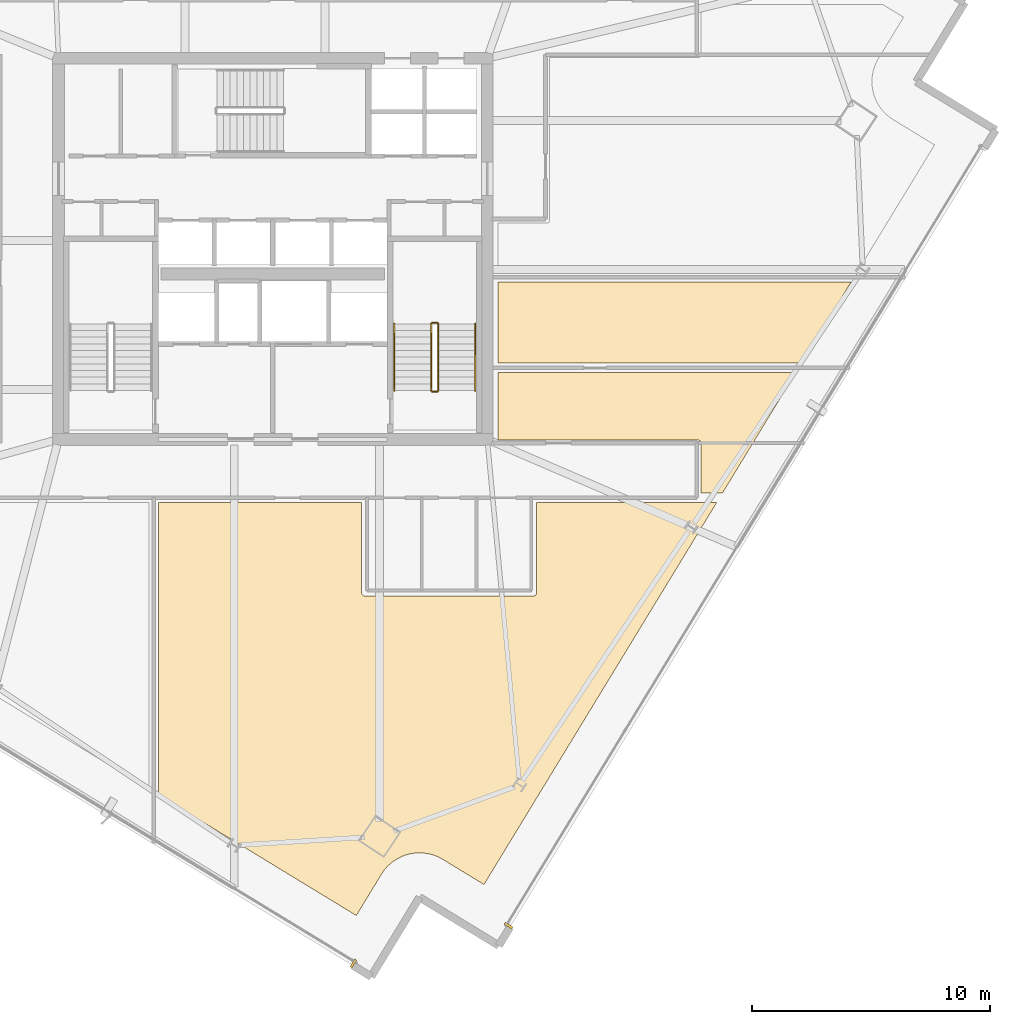
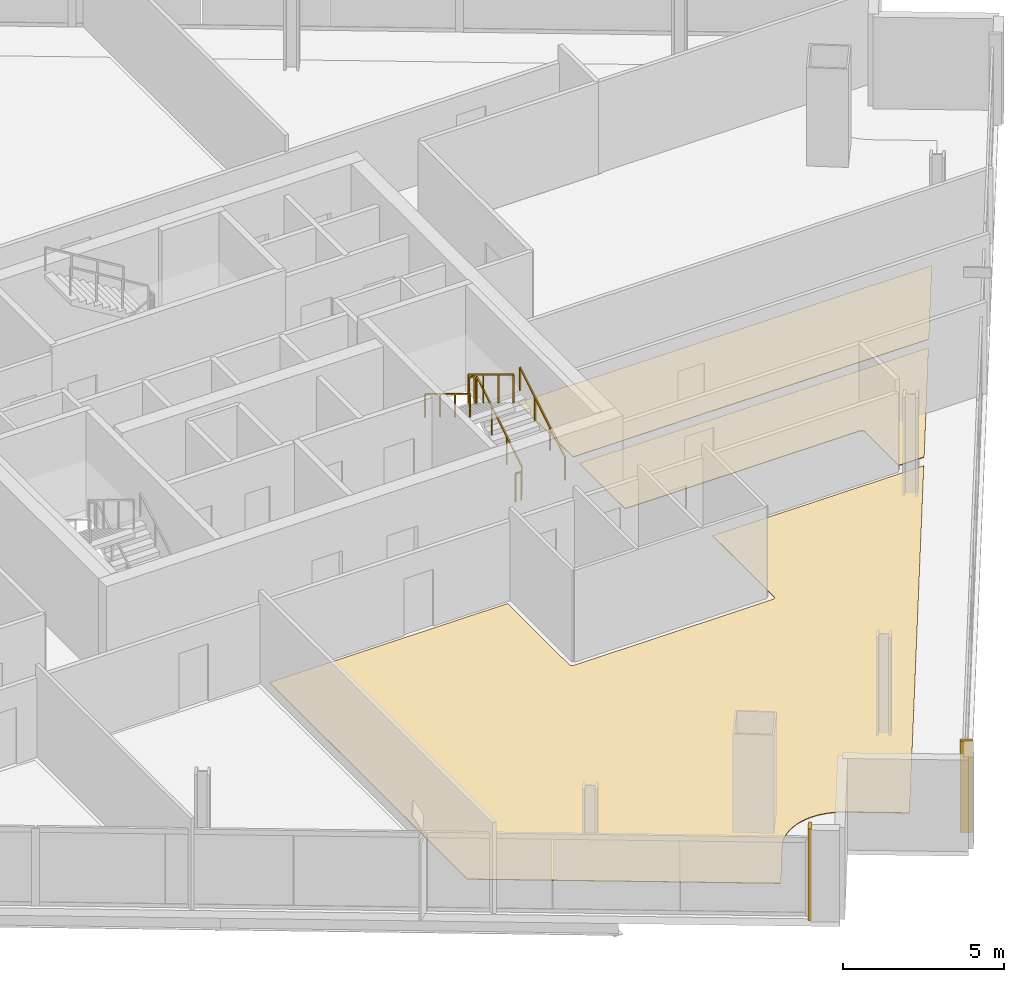
# One storey, part 26 of 28: 6 railings, 5 coverings.
"""IFC4 building model written with IfcOpenShell, lengths in metres."""

from ifc_helpers import new_model, si_unit, direction, frame, origin, origin_2d, place, context, subcontext, project, spatial, polyline, rectangle, outline, extrude, source, transform, mapped, material, layer, layer_set, type_object, element, save


model = new_model("IFC4")

# Units and contexts
model_context = context("Model", 3, precision=1e-05, world=origin(), true_north=direction((0.0, 1.0)))
body_context = subcontext(model_context, "Body", "Model", "MODEL_VIEW")
ifc_project = project(units=[si_unit("LENGTHUNIT", "METRE"), si_unit("AREAUNIT", "SQUARE_METRE"), si_unit("VOLUMEUNIT", "CUBIC_METRE"), si_unit("PLANEANGLEUNIT", "RADIAN"), si_unit("MASSUNIT", "GRAM", prefix="KILO")], contexts=[model_context])

# Site, building, storey
site_placement = place(None, origin())
site = spatial("IfcSite", under=ifc_project, at=site_placement, CompositionType="ELEMENT")
building_placement = place(site_placement, origin())
building = spatial("IfcBuilding", under=site, at=building_placement, Name="Haldenkirk Collegiate Tower", CompositionType="ELEMENT")
storey_placement = place(building_placement, frame((0.0, 0.0, 224.699951171875)))
storey = spatial("IfcBuildingStorey", under=building, at=storey_placement, Name="L56", CompositionType="ELEMENT", Elevation=224.699951171875)

# Coverings
ifc_material_1 = material(Name="Polished collegiate terrazzo", Category="concrete")
ifc_layer_1 = layer(ifc_material_1, 0.02490234375)
ifc_layer_set_1 = layer_set([ifc_layer_1], Name="Polished collegiate terrazzo")
covering_type_1 = type_object("IfcCoveringType", Name="COV-FLOOR-TERRAZZO", PredefinedType="FLOORING", material=ifc_layer_set_1)
covering_1_placement = place(storey_placement, origin())
element("IfcCovering", 1, at=covering_1_placement, inside=storey, type_object=covering_type_1, Name="L56 academic room finish 10", PredefinedType="FLOORING", context=body_context, shape_type="SweptSolid", body=[
    extrude(outline(polyline([(45.449951171875, 17.969970703125), (45.449951171875, 20.800048828125), (57.955078125, 20.800048828125), (54.87841796875, 15.75), (53.969970703125, 15.75), (53.969970703125, 17.85009765625), (53.969482421875, 17.86181640625), (53.9677734375, 17.873291015625), (53.96484375, 17.884765625), (53.9609375, 17.89599609375), (53.955810546875, 17.906494140625), (53.94970703125, 17.916748046875), (53.94287109375, 17.926025390625), (53.934814453125, 17.934814453125), (53.926025390625, 17.94287109375), (53.916748046875, 17.94970703125), (53.906494140625, 17.955810546875), (53.89599609375, 17.9609375), (53.884765625, 17.96484375), (53.873291015625, 17.9677734375), (53.86181640625, 17.969482421875), (53.85009765625, 17.969970703125), (45.449951171875, 17.969970703125)])), origin(), (0.0, 0.0, 1.0), 0.025146484375),
])
ifc_material_2 = material(Name="Engineered collegiate oak acoustic flooring", Category="wood")
ifc_layer_2 = layer(ifc_material_2, 0.02197265625)
ifc_layer_set_2 = layer_set([ifc_layer_2], Name="Engineered collegiate oak acoustic flooring")
covering_type_2 = type_object("IfcCoveringType", Name="COV-FLOOR-TIMBER", PredefinedType="FLOORING", material=ifc_layer_set_2)
covering_2_placement = place(storey_placement, origin())
element("IfcCovering", 2, at=covering_2_placement, inside=storey, type_object=covering_type_2, Name="L56 academic room finish 03", PredefinedType="FLOORING", context=body_context, shape_type="SweptSolid", body=[
    extrude(outline(polyline([(42.451171875, 0.617919921875), (42.439453125, 0.61962890625), (42.268798828125, 0.6376953125), (42.257080078125, 0.63818359375), (42.085205078125, 0.6396484375), (42.073486328125, 0.63916015625), (41.902587890625, 0.62353515625), (41.890869140625, 0.621826171875), (41.72216796875, 0.589599609375), (41.710693359375, 0.5869140625), (41.5458984375, 0.5380859375), (41.534912109375, 0.5341796875), (41.375732421875, 0.469482421875), (41.364990234375, 0.464599609375), (41.212890625, 0.385009765625), (41.202880859375, 0.37890625), (41.059326171875, 0.284423828125), (41.050048828125, 0.277587890625), (40.91650390625, 0.16943359375), (40.907470703125, 0.16162109375), (40.78515625, 0.041015625), (40.77734375, 0.032470703125), (40.66748046875, -0.099609375), (40.660400390625, -0.10888671875), (40.56396484375, -0.251220703125), (40.560791015625, -0.256103515625), (39.504638671875, -1.98974609375), (31.199951171875, 3.069580078125), (31.199951171875, 15.35009765625), (39.72998046875, 15.35009765625), (39.72998046875, 11.550048828125), (39.730712890625, 11.5380859375), (39.732421875, 11.526611328125), (39.735107421875, 11.51513671875), (39.739013671875, 11.504150390625), (39.744140625, 11.493408203125), (39.750244140625, 11.4833984375), (39.757080078125, 11.473876953125), (39.76513671875, 11.465087890625), (39.77392578125, 11.457275390625), (39.783203125, 11.4501953125), (39.79345703125, 11.444091796875), (39.80419921875, 11.439208984375), (39.815185546875, 11.435302734375), (39.82666015625, 11.432373046875), (39.838134765625, 11.4306640625), (39.85009765625, 11.429931640625), (46.949951171875, 11.429931640625), (46.9619140625, 11.4306640625), (46.973388671875, 11.432373046875), (46.98486328125, 11.435302734375), (46.995849609375, 11.439208984375), (47.006591796875, 11.444091796875), (47.0166015625, 11.4501953125), (47.026123046875, 11.457275390625), (47.034912109375, 11.465087890625), (47.042724609375, 11.473876953125), (47.0498046875, 11.4833984375), (47.055908203125, 11.493408203125), (47.060791015625, 11.504150390625), (47.064697265625, 11.51513671875), (47.067626953125, 11.526611328125), (47.0693359375, 11.5380859375), (47.070068359375, 11.550048828125), (47.070068359375, 15.35009765625), (54.634765625, 15.35009765625), (44.864501953125, -0.68798828125), (43.130615234375, 0.3681640625), (43.12548828125, 0.37109375), (42.974609375, 0.453125), (42.964111328125, 0.458251953125), (42.805908203125, 0.52490234375), (42.794677734375, 0.529052734375), (42.630615234375, 0.580078125), (42.619384765625, 0.5830078125), (42.451171875, 0.617919921875)])), origin(), (0.0, 0.0, 1.0), 0.02197265625),
])
covering_3_placement = place(storey_placement, origin())
element("IfcCovering", 3, at=covering_3_placement, inside=storey, type_object=covering_type_2, Name="L56 academic room finish 11", PredefinedType="FLOORING", context=body_context, shape_type="SweptSolid", body=[
    extrude(outline(polyline([(58.19873046875, 21.199951171875), (45.449951171875, 21.199951171875), (45.449951171875, 24.60009765625), (60.27001953125, 24.60009765625), (58.19873046875, 21.199951171875)])), origin(), (0.0, 0.0, 1.0), 0.02197265625),
])

# Railings
ifc_material_3 = material(Name="Painted architectural tubular steel", Category="steel")
railing_type_1 = type_object("IfcRailingType", Name="RLG-STAIR-GUARD-1100", PredefinedType="BALUSTRADE", material=ifc_material_3)
railing_1_placement = place(storey_placement, frame((42.949951171875, 20.050048828125, 0.17041015625)))
element("IfcRailing", 4, at=railing_1_placement, inside=storey, type_object=railing_type_1, Name="L56 ST-2 stair guard 1", PredefinedType="BALUSTRADE", context=body_context, shape_type="SweptSolid", body=[
    extrude(rectangle(XDim=0.048095703125, YDim=0.048095703125, at=origin_2d()), frame((0.0, 0.0, 1.076171875), z_axis=(0.0, 0.854169791009, 0.51999420009), x_axis=(-1.0, 0.0, 0.0)), (0.0, 0.0, 1.0), 3.278076171875),
    extrude(rectangle(XDim=0.0419921875, YDim=0.0419921875, at=origin_2d()), origin(), (0.0, 0.0, 1.0), 1.052001953125),
    extrude(rectangle(XDim=0.0419921875, YDim=0.0419921875, at=origin_2d()), frame((0.0, 0.933349609375, 0.568115234375)), (0.0, 0.0, 1.0), 1.052001953125),
    extrude(rectangle(XDim=0.0419921875, YDim=0.0419921875, at=origin_2d()), frame((0.0, 1.86669921875, 1.136474609375)), (0.0, 0.0, 1.0), 1.052001953125),
    extrude(rectangle(XDim=0.0419921875, YDim=0.0419921875, at=origin_2d()), frame((0.0, 2.800048828125, 1.70458984375)), (0.0, 0.0, 1.0), 1.052001953125),
])
railing_2_placement = place(storey_placement, frame((42.89990234375, 22.89990234375, 1.875)))
element("IfcRailing", 5, at=railing_2_placement, inside=storey, type_object=railing_type_1, Name="L56 ST-2 stair guard 2", PredefinedType="BALUSTRADE", context=body_context, shape_type="SweptSolid", body=[
    extrude(rectangle(XDim=0.048095703125, YDim=0.048095703125, at=origin_2d()), frame((0.0, 0.0, 1.076171875), z_axis=(-1.0, 0.0, 0.0), x_axis=(0.0, -1.0, 0.0)), (0.0, 0.0, 1.0), 0.199951171875),
    extrude(rectangle(XDim=0.0419921875, YDim=0.0419921875, at=origin_2d()), origin(), (0.0, 0.0, 1.0), 1.052001953125),
    extrude(rectangle(XDim=0.0419921875, YDim=0.0419921875, at=origin_2d()), frame((-0.199951171875, 0.0, 0.0)), (0.0, 0.0, 1.0), 1.052001953125),
])
railing_3_placement = place(storey_placement, frame((42.64990234375, 22.85009765625, 2.04541015625)))
element("IfcRailing", 6, at=railing_3_placement, inside=storey, type_object=railing_type_1, Name="L56 ST-2 stair guard 3", PredefinedType="BALUSTRADE", context=body_context, shape_type="SweptSolid", body=[
    extrude(rectangle(XDim=0.048095703125, YDim=0.048095703125, at=origin_2d()), frame((0.0, 0.0, 1.076171875), z_axis=(0.0, -0.854169791009, 0.51999420009), x_axis=(1.0, 0.0, 0.0)), (0.0, 0.0, 1.0), 3.278076171875),
    extrude(rectangle(XDim=0.0419921875, YDim=0.0419921875, at=origin_2d()), origin(), (0.0, 0.0, 1.0), 1.052001953125),
    extrude(rectangle(XDim=0.0419921875, YDim=0.0419921875, at=origin_2d()), frame((0.0, -0.933349609375, 0.568115234375)), (0.0, 0.0, 1.0), 1.052001953125),
    extrude(rectangle(XDim=0.0419921875, YDim=0.0419921875, at=origin_2d()), frame((0.0, -1.86669921875, 1.136474609375)), (0.0, 0.0, 1.0), 1.052001953125),
    extrude(rectangle(XDim=0.0419921875, YDim=0.0419921875, at=origin_2d()), frame((0.0, -2.800048828125, 1.70458984375)), (0.0, 0.0, 1.0), 1.052001953125),
])
railing_4_placement = place(storey_placement, frame((42.89990234375, 20.0, 0.0)))
element("IfcRailing", 7, at=railing_4_placement, inside=storey, type_object=railing_type_1, Name="L56 ST-2 stair guard 4", PredefinedType="BALUSTRADE", context=body_context, shape_type="SweptSolid", body=[
    extrude(rectangle(XDim=0.048095703125, YDim=0.048095703125, at=origin_2d()), frame((0.0, 0.0, 1.076171875), z_axis=(-1.0, 0.0, 0.0), x_axis=(0.0, -1.0, 0.0)), (0.0, 0.0, 1.0), 0.199951171875),
    extrude(rectangle(XDim=0.0419921875, YDim=0.0419921875, at=origin_2d()), origin(), (0.0, 0.0, 1.0), 1.052001953125),
    extrude(rectangle(XDim=0.0419921875, YDim=0.0419921875, at=origin_2d()), frame((-0.199951171875, 0.0, 0.0)), (0.0, 0.0, 1.0), 1.052001953125),
])
railing_type_2 = type_object("IfcRailingType", Name="RLG-STAIR-HANDRAIL-900", PredefinedType="HANDRAIL", material=ifc_material_3)
railing_5_placement = place(storey_placement, frame((44.5, 20.050048828125, 0.17041015625)))
element("IfcRailing", 8, at=railing_5_placement, inside=storey, type_object=railing_type_2, Name="L56 ST-2 stair handrail 1", PredefinedType="HANDRAIL", context=body_context, shape_type="SweptSolid", body=[
    extrude(rectangle(XDim=0.048095703125, YDim=0.048095703125, at=origin_2d()), frame((0.0, 0.0, 0.8759765625), z_axis=(0.0, 0.854169791009, 0.51999420009), x_axis=(-1.0, 0.0, 0.0)), (0.0, 0.0, 1.0), 3.278076171875),
    extrude(rectangle(XDim=0.0419921875, YDim=0.0419921875, at=origin_2d()), origin(), (0.0, 0.0, 1.0), 0.851806640625),
    extrude(rectangle(XDim=0.0419921875, YDim=0.0419921875, at=origin_2d()), frame((0.0, 0.933349609375, 0.568115234375)), (0.0, 0.0, 1.0), 0.851806640625),
    extrude(rectangle(XDim=0.0419921875, YDim=0.0419921875, at=origin_2d()), frame((0.0, 1.86669921875, 1.136474609375)), (0.0, 0.0, 1.0), 0.851806640625),
    extrude(rectangle(XDim=0.0419921875, YDim=0.0419921875, at=origin_2d()), frame((0.0, 2.800048828125, 1.70458984375)), (0.0, 0.0, 1.0), 0.851806640625),
])
railing_6_placement = place(storey_placement, frame((41.10009765625, 22.85009765625, 2.04541015625)))
element("IfcRailing", 9, at=railing_6_placement, inside=storey, type_object=railing_type_2, Name="L56 ST-2 stair handrail 2", PredefinedType="HANDRAIL", context=body_context, shape_type="SweptSolid", body=[
    extrude(rectangle(XDim=0.048095703125, YDim=0.048095703125, at=origin_2d()), frame((0.0, 0.0, 0.8759765625), z_axis=(0.0, -0.854169791009, 0.51999420009), x_axis=(1.0, 0.0, 0.0)), (0.0, 0.0, 1.0), 3.278076171875),
    extrude(rectangle(XDim=0.0419921875, YDim=0.0419921875, at=origin_2d()), origin(), (0.0, 0.0, 1.0), 0.851806640625),
    extrude(rectangle(XDim=0.0419921875, YDim=0.0419921875, at=origin_2d()), frame((0.0, -0.933349609375, 0.568115234375)), (0.0, 0.0, 1.0), 0.851806640625),
    extrude(rectangle(XDim=0.0419921875, YDim=0.0419921875, at=origin_2d()), frame((0.0, -1.86669921875, 1.136474609375)), (0.0, 0.0, 1.0), 0.851806640625),
    extrude(rectangle(XDim=0.0419921875, YDim=0.0419921875, at=origin_2d()), frame((0.0, -2.800048828125, 1.70458984375)), (0.0, 0.0, 1.0), 0.851806640625),
])

# Coverings
ifc_material_4 = material(Name="Anodised architectural bronze aluminium", Category="aluminium")
ifc_layer_3 = layer(ifc_material_4, 0.06005859375)
ifc_layer_set_3 = layer_set([ifc_layer_3], Name="Anodised architectural bronze aluminium")
covering_type_3 = type_object("IfcCoveringType", Name="COV-CLAD-BRONZE-60", PredefinedType="CLADDING", material=ifc_layer_set_3)
shared_shape = source(origin(), body_context, "Body", "SweptSolid", [
    extrude(rectangle(XDim=0.10009765625, YDim=0.3798828125, at=origin_2d()), origin(), (0.0, 0.0, 1.0), 3.469970703125),
])
for number, where, z_axis, x_axis, name in (
    (10, (45.895263671875, -2.4169921875, 0.0), (0.0, 0.0, 1.0), (-0.520264569962, -0.854005138885, 0.0), "L56 recessed curtain-wall bronze jamb closure SJR"),
    (11, (39.38134765625, -3.998779296875, 0.0), (0.0, 0.0, 1.0), (-0.854005138885, 0.520264569962, 0.0), "L56 recessed curtain-wall bronze jamb closure WJL"),
):
    element("IfcCovering", number, at=place(storey_placement, frame(where, z_axis=z_axis, x_axis=x_axis)), inside=storey, type_object=covering_type_3, Name=name, PredefinedType="CLADDING", context=body_context, shape_type="MappedRepresentation", body=[
        mapped(shared_shape, transform((0.0, 0.0, 0.0), x_axis=(1.0, 0.0, 0.0), y_axis=(0.0, 1.0, 0.0), z_axis=(0.0, 0.0, 1.0), scale=1.0)),
    ])

save(model, "model.ifc")
